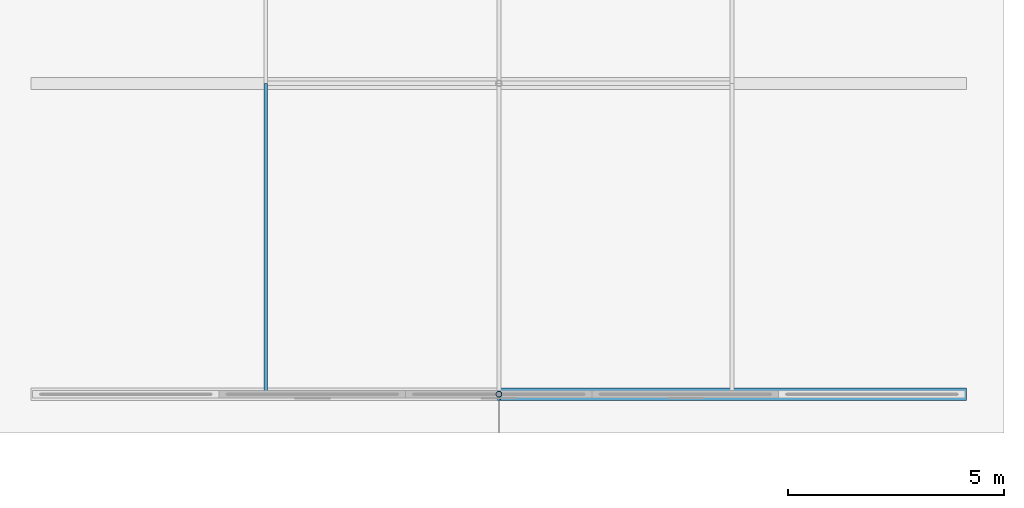
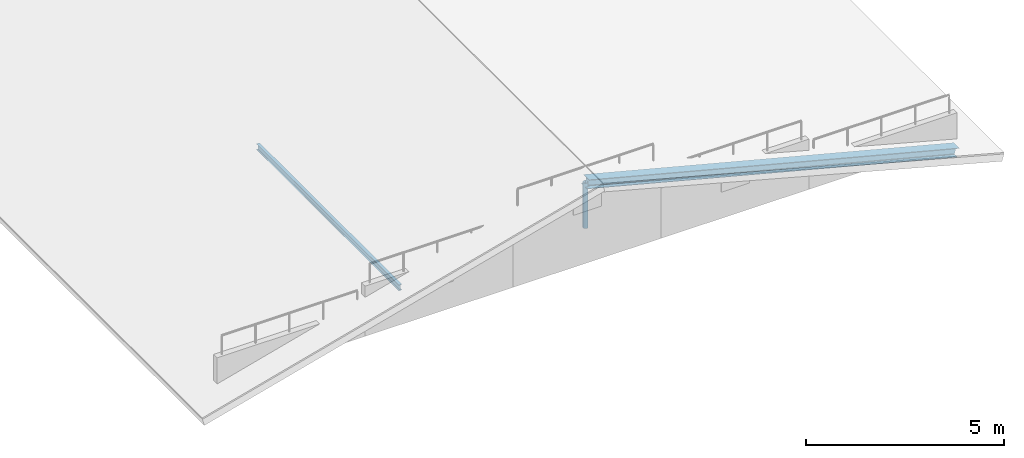
# One storey, part 9 of 40: 3 members.
"""IFC4 building model written with IfcOpenShell, lengths in metres."""

from ifc_helpers import new_model, si_unit, direction, frame, origin, origin_2d, place, context, subcontext, project, spatial, hollow_circle, i_section, extrude, material, material_profile, profile_set, type_object, element, save


model = new_model("IFC4")

# Units and contexts
model_context = context("Model", 3, precision=1e-05, world=origin(), true_north=direction((0.0, 1.0)))
body_context = subcontext(model_context, "Body", "Model", "MODEL_VIEW")
ifc_project = project(units=[si_unit("LENGTHUNIT", "METRE"), si_unit("AREAUNIT", "SQUARE_METRE"), si_unit("VOLUMEUNIT", "CUBIC_METRE"), si_unit("PLANEANGLEUNIT", "RADIAN"), si_unit("MASSUNIT", "GRAM", prefix="KILO"), si_unit("THERMODYNAMICTEMPERATUREUNIT", "KELVIN"), si_unit("POWERUNIT", "WATT")], contexts=[model_context])

# Site, building, storey
site_placement = place(None, origin())
site = spatial("IfcSite", under=ifc_project, at=site_placement, CompositionType="ELEMENT")
building_placement = place(site_placement, origin())
building = spatial("IfcBuilding", under=site, at=building_placement, Name="Tavuni Mirador Residences", CompositionType="ELEMENT")
storey_placement = place(building_placement, frame((0.0, 0.0, 36.0)))
storey = spatial("IfcBuildingStorey", under=building, at=storey_placement, Name="L11", CompositionType="ELEMENT", Elevation=36.0)

# Members
ifc_material = material(Name="Structural steel S355", Category="steel")
ifc_material_profile_1 = material_profile(ifc_material, hollow_circle(Radius=0.06982421875, WallThickness=0.008056640625, at=origin_2d()), Name="CHS 139.7x8.0", Category="steel")
ifc_profile_set_1 = profile_set([ifc_material_profile_1], Name="Structural steel S355")
member_type_1 = type_object("IfcMemberType", Name="MT-BR-CHS139", PredefinedType="BRACE", material=ifc_profile_set_1)
member_1_placement = place(storey_placement, frame((108.0, 86.39990234375, 1.050048828125), z_axis=(0.0, 0.0, 1.0), x_axis=(1.0, 0.0, 0.0)))
element("IfcMember", 1, at=member_1_placement, inside=storey, type_object=member_type_1, Name="RKP-BLK-D-00", PredefinedType="BRACE", context=body_context, shape_type="SweptSolid", body=[
    extrude(hollow_circle(Radius=0.06982421875, WallThickness=0.008056640625, at=origin_2d()), origin(), (0.0, 0.0, 1.0), 1.39990234375),
])
ifc_material_profile_2 = material_profile(ifc_material, i_section(OverallWidth=0.280029296875, OverallDepth=0.27001953125, WebThickness=0.008056640625, FlangeThickness=0.012939453125, FilletRadius=0.02392578125, at=origin_2d()), Name="HEA 280", Category="steel")
ifc_profile_set_2 = profile_set([ifc_material_profile_2], Name="Structural steel S355")
member_type_2 = type_object("IfcMemberType", Name="MT-CH-HEA280", PredefinedType="CHORD", material=ifc_profile_set_2)
member_2_placement = place(storey_placement, frame((108.0, 86.39990234375, 2.449951171875), z_axis=(0.967996110632, 0.0, -0.250965196393), x_axis=(0.0, 1.0, 0.0)))
element("IfcMember", 2, at=member_2_placement, inside=storey, type_object=member_type_2, Name="RAF-BLK-D-00-E", PredefinedType="CHORD", context=body_context, shape_type="SweptSolid", body=[
    extrude(i_section(OverallWidth=0.280029296875, OverallDepth=0.27001953125, WebThickness=0.008056640625, FlangeThickness=0.012939453125, FilletRadius=0.02392578125, at=origin_2d()), origin(), (0.0, 0.0, 1.0), 11.1572265625),
])
ifc_material_profile_3 = material_profile(ifc_material, i_section(OverallWidth=0.091064453125, OverallDepth=0.179931640625, WebThickness=0.00537109375, FlangeThickness=0.008056640625, FilletRadius=0.009033203125, at=origin_2d()), Name="IPE 180", Category="steel")
ifc_profile_set_3 = profile_set([ifc_material_profile_3], Name="Structural steel S355")
member_type_3 = type_object("IfcMemberType", Name="MT-PR-IPE180", PredefinedType="PURLIN", material=ifc_profile_set_3)
member_3_placement = place(storey_placement, frame((102.60009765625, 86.39990234375, 1.074951171875), z_axis=(0.0, 1.0, 0.0), x_axis=(-1.0, 0.0, 0.0)))
element("IfcMember", 3, at=member_3_placement, inside=storey, type_object=member_type_3, Name="RPUR-BLK-D-25-00", PredefinedType="PURLIN", context=body_context, shape_type="SweptSolid", body=[
    extrude(i_section(OverallWidth=0.091064453125, OverallDepth=0.179931640625, WebThickness=0.00537109375, FlangeThickness=0.008056640625, FilletRadius=0.009033203125, at=origin_2d()), origin(), (0.0, 0.0, 1.0), 7.2001953125),
])

save(model, "model.ifc")
